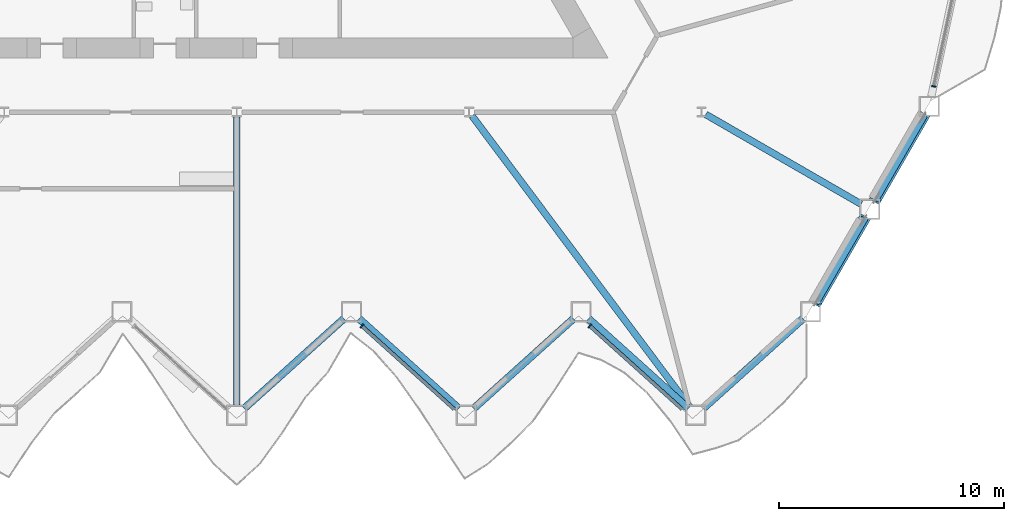
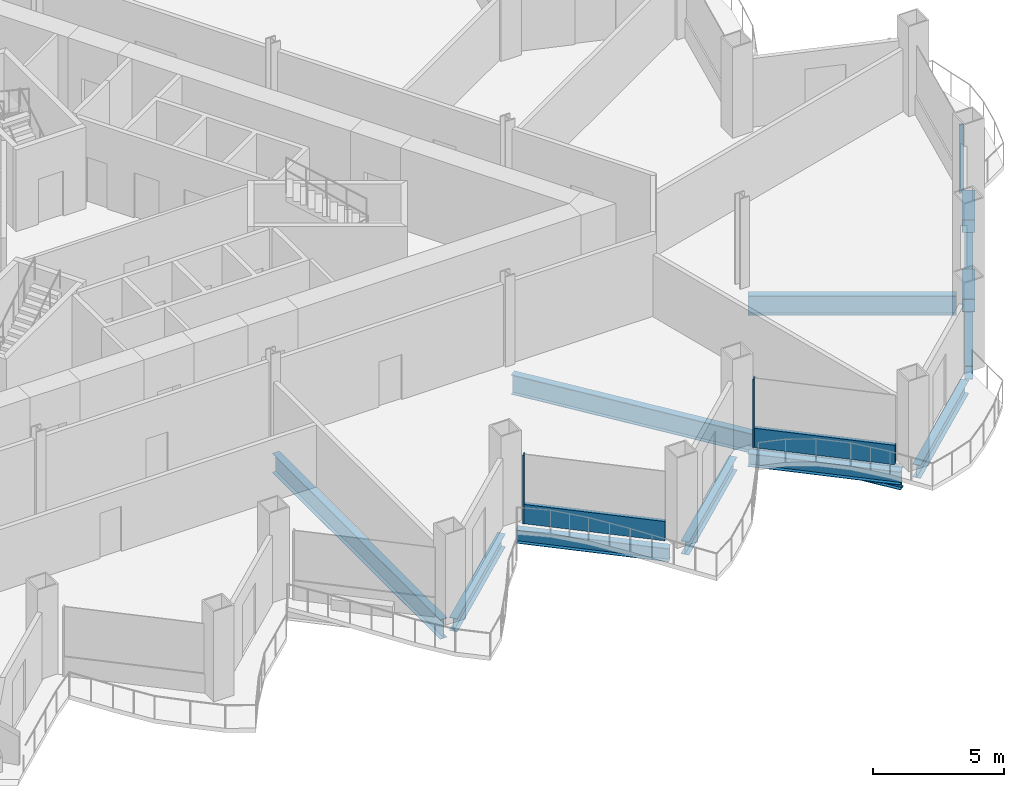
# One storey, part 5 of 21: 10 beams, 7 members, 3 elements without a shape of their own.
"""IFC4 building model written with IfcOpenShell, lengths in metres."""

from ifc_helpers import new_model, si_unit, direction, frame, origin, origin_2d, place, context, subcontext, project, spatial, rectangle, hollow_rectangle, i_section, extrude, material, layer, layer_set, material_profile, profile_set, type_object, element, aggregate, save


model = new_model("IFC4")

# Units and contexts
model_context = context("Model", 3, precision=1e-05, world=origin(), true_north=direction((0.0, 1.0)))
body_context = subcontext(model_context, "Body", "Model", "MODEL_VIEW")
ifc_project = project(units=[si_unit("LENGTHUNIT", "METRE"), si_unit("AREAUNIT", "SQUARE_METRE"), si_unit("VOLUMEUNIT", "CUBIC_METRE"), si_unit("PLANEANGLEUNIT", "RADIAN"), si_unit("MASSUNIT", "GRAM", prefix="KILO")], contexts=[model_context])

# Site, building, storey
site_placement = place(None, origin())
site = spatial("IfcSite", under=ifc_project, at=site_placement, CompositionType="ELEMENT")
building_placement = place(site_placement, origin())
building = spatial("IfcBuilding", under=site, at=building_placement, Name="Cormorant Prow Tower", CompositionType="ELEMENT")
storey_placement = place(building_placement, frame((0.0, 0.0, 141.60009765625)))
storey = spatial("IfcBuildingStorey", under=building, at=storey_placement, Name="L30", CompositionType="ELEMENT", Elevation=141.60009765625)

# Members
ifc_material_1 = material(Name="Structural steel ASTM A500 Gr C", Category="steel")
ifc_material_profile_1 = material_profile(ifc_material_1, hollow_rectangle(XDim=0.508056640625, YDim=0.508056640625, WallThickness=0.014892578125, at=origin_2d()), Name="HSS20x20x5/8")
ifc_profile_set_1 = profile_set([ifc_material_profile_1], Name="Structural steel ASTM A500 Gr C")
member_type_1 = type_object("IfcMemberType", Name="Chamfer brace HSS20x20x5/8", PredefinedType="BRACE", material=ifc_profile_set_1)
for number, where, z_axis, x_axis, name in (
    (1, (27.900634765625, -16.648681640625, 0.7763671875), (-0.467775966243, -0.810228448064, 0.353150828052), (0.866029868417, -0.499992266949, 0.0), "Chamfer brace BR1 at ESE00 L30"),
    (2, (30.535400390625, -12.0849609375, 0.7763671875), (-0.467775966243, -0.810228448064, 0.353150828052), (0.866029868417, -0.499992266949, 0.0), "Chamfer brace BR1 at ESE01 L30"),
):
    element("IfcMember", number, at=place(storey_placement, frame(where, z_axis=z_axis, x_axis=x_axis)), inside=storey, type_object=member_type_1, Name=name, PredefinedType="BRACE", context=body_context, shape_type="SweptSolid", body=[
        extrude(hollow_rectangle(XDim=0.508056640625, YDim=0.508056640625, WallThickness=0.014892578125, at=origin_2d()), origin(), (0.0, 0.0, 1.0), 4.632568359375),
    ])

# Curtain wall, member
ifc_material_2 = material(Name="Aluminium 6063-T6", Category="aluminium")
ifc_layer = layer(ifc_material_2, 0.199951171875)
ifc_layer_set = layer_set([ifc_layer], Name="Aluminium 6063-T6")
curtain_wall_type = type_object("IfcCurtainWallType", Name="Office unitised curtain wall 200", PredefinedType="NOTDEFINED", material=ifc_layer_set)
curtain_wall_1_placement = place(storey_placement, origin())
curtain_wall_1 = element("IfcCurtainWall", 3, at=curtain_wall_1_placement, inside=storey, type_object=curtain_wall_type, Name="Office curtain wall S06", PredefinedType="NOTDEFINED")
ifc_material_3 = material(Name="Aluminium 6063-T6", Category="aluminium")
ifc_material_profile_2 = material_profile(ifc_material_3, rectangle(XDim=0.199951171875, YDim=0.06005859375, at=origin_2d()), Name="Office mullion 60x200")
ifc_profile_set_2 = profile_set([ifc_material_profile_2], Name="Aluminium 6063-T6")
member_type_2 = type_object("IfcMemberType", Name="Office mullion 60x200", PredefinedType="MULLION", material=ifc_profile_set_2)
member_1_placement = place(storey_placement, frame((5.5595703125, -21.43359375, 0.0), z_axis=(0.0, 0.0, 1.0), x_axis=(0.669130582818, 0.743144846674, 0.0)))
member_1 = element("IfcMember", 4, at=member_1_placement, type_object=member_type_2, Name="Office mullion S06", PredefinedType="MULLION", context=body_context, shape_type="SweptSolid", body=[
    extrude(rectangle(XDim=0.199951171875, YDim=0.06005859375, at=origin_2d()), origin(), (0.0, 0.0, 1.0), 3.188720703125),
])

curtain_wall_2_placement = place(storey_placement, origin())
curtain_wall_2 = element("IfcCurtainWall", 5, at=curtain_wall_2_placement, inside=storey, type_object=curtain_wall_type, Name="Office curtain wall S08", PredefinedType="NOTDEFINED")
member_2_placement = place(storey_placement, frame((15.6884765625, -21.43359375, 0.0), z_axis=(0.0, 0.0, 1.0), x_axis=(0.669130582818, 0.743144846674, 0.0)))
member_2 = element("IfcMember", 6, at=member_2_placement, type_object=member_type_2, Name="Office mullion S08", PredefinedType="MULLION", context=body_context, shape_type="SweptSolid", body=[
    extrude(rectangle(XDim=0.199951171875, YDim=0.06005859375, at=origin_2d()), origin(), (0.0, 0.0, 1.0), 3.188720703125),
])

curtain_wall_3_placement = place(storey_placement, origin())
curtain_wall_3 = element("IfcCurtainWall", 7, at=curtain_wall_3_placement, inside=storey, type_object=curtain_wall_type, Name="Office curtain wall ENE00", PredefinedType="NOTDEFINED")
member_3_placement = place(storey_placement, frame((30.975830078125, -10.78466796875, 0.0), z_axis=(0.0, 0.0, 1.0), x_axis=(-0.978147594572, 0.207911719806, 0.0)))
member_3 = element("IfcMember", 8, at=member_3_placement, type_object=member_type_2, Name="Office mullion ENE00", PredefinedType="MULLION", context=body_context, shape_type="SweptSolid", body=[
    extrude(rectangle(XDim=0.199951171875, YDim=0.06005859375, at=origin_2d()), origin(), (0.0, 0.0, 1.0), 3.188720703125),
])
aggregate(curtain_wall_3, [member_3])

# Member
ifc_material_4 = material(Name="Terracotta", Category="masonry")
ifc_material_profile_3 = material_profile(ifc_material_4, rectangle(XDim=0.159912109375, YDim=0.89990234375, at=origin_2d()), Name="Office terracotta spandrel rail 160x900")
ifc_profile_set_3 = profile_set([ifc_material_profile_3], Name="Terracotta")
member_type_3 = type_object("IfcMemberType", Name="Office terracotta spandrel rail 160x900", PredefinedType="USERDEFINED", material=ifc_profile_set_3)
member_4_placement = place(storey_placement, frame((5.581787109375, -21.453857421875, 0.449951171875), z_axis=(0.743161287597, -0.669112322871, 0.0), x_axis=(0.669112322871, 0.743161287597, 0.0)))
member_4 = element("IfcMember", 9, at=member_4_placement, type_object=member_type_3, Name="Office spandrel rail S06", ObjectType="TRANSOM", PredefinedType="USERDEFINED", context=body_context, shape_type="SweptSolid", body=[
    extrude(rectangle(XDim=0.159912109375, YDim=0.89990234375, at=origin_2d()), origin(), (0.0, 0.0, 1.0), 5.48291015625),
])

aggregate(curtain_wall_1, [member_1, member_4])

member_5_placement = place(storey_placement, frame((15.710693359375, -21.453857421875, 0.449951171875), z_axis=(0.743161287597, -0.669112322871, 0.0), x_axis=(0.669112322871, 0.743161287597, 0.0)))
member_5 = element("IfcMember", 10, at=member_5_placement, type_object=member_type_3, Name="Office spandrel rail S08", ObjectType="TRANSOM", PredefinedType="USERDEFINED", context=body_context, shape_type="SweptSolid", body=[
    extrude(rectangle(XDim=0.159912109375, YDim=0.89990234375, at=origin_2d()), origin(), (0.0, 0.0, 1.0), 5.48291015625),
])

aggregate(curtain_wall_2, [member_2, member_5])

# Beams
ifc_material_5 = material(Name="Structural steel ASTM A992 Gr 50", Category="steel")
ifc_material_profile_4 = material_profile(ifc_material_5, i_section(OverallWidth=0.3046875, OverallDepth=0.914794921875, WebThickness=0.0166015625, FlangeThickness=0.02587890625, at=origin_2d()), Name="W36x160")
ifc_profile_set_4 = profile_set([ifc_material_profile_4], Name="Structural steel ASTM A992 Gr 50")
beam_type_1 = type_object("IfcBeamType", Name="Radial floor beam W36x160", PredefinedType="BEAM", material=ifc_profile_set_4)
beam_1_placement = place(storey_placement, frame((0.0, -12.143798828125, -0.857421875), z_axis=(0.0, -1.0, 0.0), x_axis=(1.0, 0.0, 0.0)))
element("IfcBeam", 11, at=beam_1_placement, inside=storey, type_object=beam_type_1, Name="Radial floor beam FB1 7 L30", PredefinedType="BEAM", context=body_context, shape_type="SweptSolid", body=[
    extrude(i_section(OverallWidth=0.3046875, OverallDepth=0.914794921875, WebThickness=0.0166015625, FlangeThickness=0.02587890625, at=origin_2d()), origin(), (0.0, 0.0, 1.0), 12.805419921875),
])
beam_2_placement = place(storey_placement, frame((10.458740234375, -12.100341796875, -0.857421875), z_axis=(0.598722444929, -0.800956574315, 0.0), x_axis=(0.800956574315, 0.598722444929, 0.0)))
element("IfcBeam", 12, at=beam_2_placement, inside=storey, type_object=beam_type_1, Name="Radial floor beam FB1 8 L30", PredefinedType="BEAM", context=body_context, shape_type="SweptSolid", body=[
    extrude(i_section(OverallWidth=0.3046875, OverallDepth=0.914794921875, WebThickness=0.0166015625, FlangeThickness=0.02587890625, at=origin_2d()), origin(), (0.0, 0.0, 1.0), 16.15380859375),
])
beam_3_placement = place(storey_placement, frame((20.84521484375, -12.034912109375, -0.857421875), z_axis=(0.866018715534, -0.50001158421, 0.0), x_axis=(0.50001158421, 0.866018715534, 0.0)))
element("IfcBeam", 13, at=beam_3_placement, inside=storey, type_object=beam_type_1, Name="Radial floor beam FB1 9 L30", PredefinedType="BEAM", context=body_context, shape_type="SweptSolid", body=[
    extrude(i_section(OverallWidth=0.3046875, OverallDepth=0.914794921875, WebThickness=0.0166015625, FlangeThickness=0.02587890625, at=origin_2d()), origin(), (0.0, 0.0, 1.0), 7.967041015625),
])
ifc_material_6 = material(Name="Structural steel ASTM A992 Gr 50", Category="steel")
ifc_material_profile_5 = material_profile(ifc_material_6, i_section(OverallWidth=0.32373046875, OverallDepth=0.611083984375, WebThickness=0.0126953125, FlangeThickness=0.01904296875, at=origin_2d()), Name="W24x104")
ifc_profile_set_5 = profile_set([ifc_material_profile_5], Name="Structural steel ASTM A992 Gr 50")
beam_type_2 = type_object("IfcBeamType", Name="Spandrel beam W24x104", PredefinedType="SPANDREL", material=ifc_profile_set_5)
for number, where, z_axis, x_axis, name in (
    (14, (0.33447265625, -25.09814453125, -0.70556640625), (0.743131253571, 0.66914567918, 0.0), (-0.66914567918, 0.743131253571, 0.0), "Spandrel beam SB1 S05-S06 L30"),
    (15, (5.434326171875, -21.108154296875, -0.70556640625), (0.743131253571, -0.66914567918, 0.0), (0.66914567918, 0.743131253571, 0.0), "Spandrel beam SB1 S06-S07 L30"),
    (16, (10.5341796875, -25.09814453125, -0.70556640625), (0.743131253571, 0.66914567918, 0.0), (-0.66914567918, 0.743131253571, 0.0), "Spandrel beam SB1 S07-S08 L30"),
    (17, (15.63427734375, -21.108154296875, -0.70556640625), (0.743131253571, -0.66914567918, 0.0), (0.66914567918, 0.743131253571, 0.0), "Spandrel beam SB1 S08-S09 L30"),
    (18, (20.734130859375, -25.09814453125, -0.70556640625), (0.743131253571, 0.66914567918, 0.0), (-0.66914567918, 0.743131253571, 0.0), "Spandrel beam SB1 S09-ESE00 L30"),
):
    element("IfcBeam", number, at=place(storey_placement, frame(where, z_axis=z_axis, x_axis=x_axis)), inside=storey, type_object=beam_type_2, Name=name, PredefinedType="SPANDREL", context=body_context, shape_type="SweptSolid", body=[
        extrude(i_section(OverallWidth=0.32373046875, OverallDepth=0.611083984375, WebThickness=0.0126953125, FlangeThickness=0.01904296875, at=origin_2d()), origin(), (0.0, 0.0, 1.0), 5.962890625),
    ])
for number, where, z_axis, x_axis, name in (
    (19, (25.724609375, -20.41748046875, -0.70556640625), (0.500002967982, 0.866023690213, 0.0), (-0.866023690213, 0.500002967982, 0.0), "Spandrel beam SB1 ESE00-ESE01 L30"),
    (20, (28.359619140625, -15.853759765625, -0.70556640625), (0.500002967982, 0.866023690213, 0.0), (-0.866023690213, 0.500002967982, 0.0), "Spandrel beam SB1 ESE01-ENE00 L30"),
):
    element("IfcBeam", number, at=place(storey_placement, frame(where, z_axis=z_axis, x_axis=x_axis)), inside=storey, type_object=beam_type_2, Name=name, PredefinedType="SPANDREL", context=body_context, shape_type="SweptSolid", body=[
        extrude(i_section(OverallWidth=0.32373046875, OverallDepth=0.611083984375, WebThickness=0.0126953125, FlangeThickness=0.01904296875, at=origin_2d()), origin(), (0.0, 0.0, 1.0), 4.36962890625),
    ])

save(model, "model.ifc")
